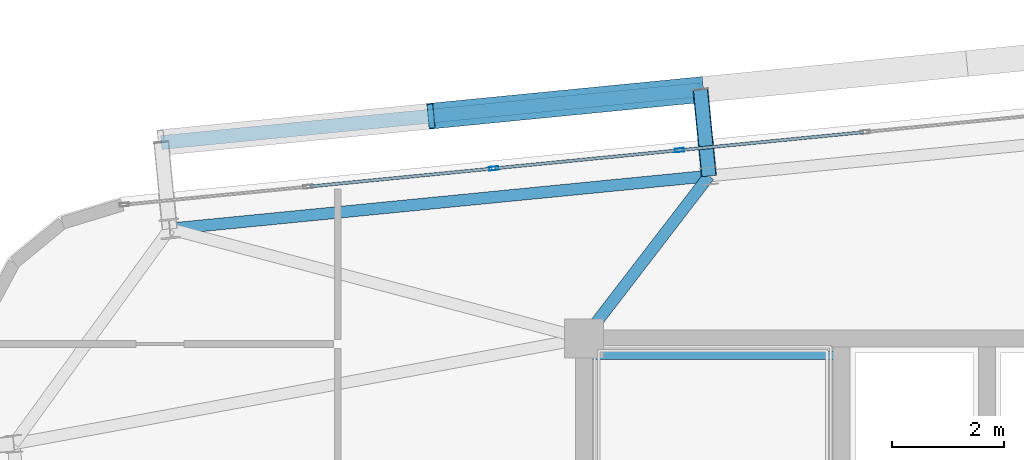
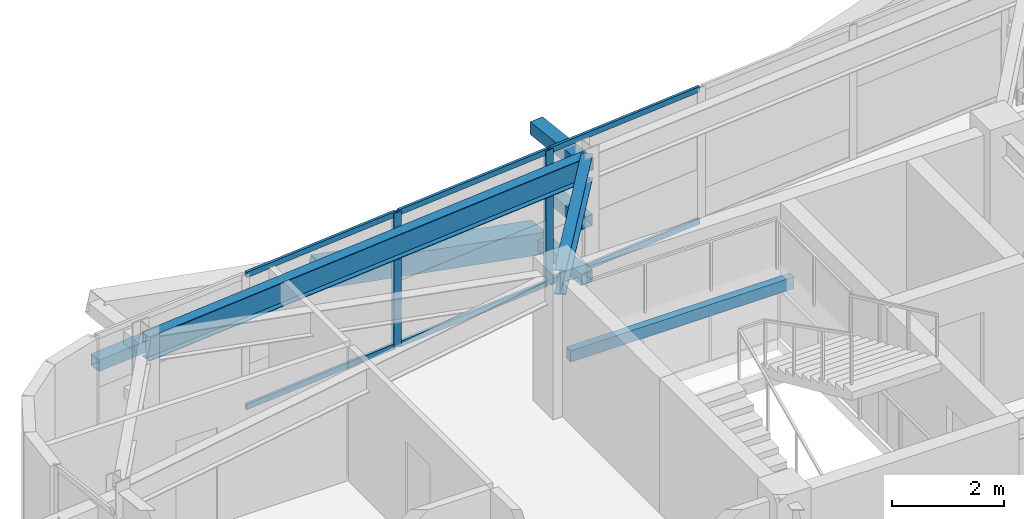
# One storey, part 28 of 53: 13 members, 3 beams, 1 element without a shape of its own.
"""IFC4 building model written with IfcOpenShell, lengths in metres."""

from ifc_helpers import new_model, si_unit, direction, frame, origin, origin_2d, place, context, subcontext, project, spatial, hollow_rectangle, i_section, extrude, source, transform, mapped, material, layer, layer_set, material_profile, profile_set, type_object, element, aggregate, save


model = new_model("IFC4")

# Units and contexts
model_context = context("Model", 3, precision=1e-05, world=origin(), true_north=direction((0.0, 1.0)))
body_context = subcontext(model_context, "Body", "Model", "MODEL_VIEW")
ifc_project = project(units=[si_unit("LENGTHUNIT", "METRE"), si_unit("AREAUNIT", "SQUARE_METRE"), si_unit("VOLUMEUNIT", "CUBIC_METRE"), si_unit("PLANEANGLEUNIT", "RADIAN"), si_unit("MASSUNIT", "GRAM", prefix="KILO")], contexts=[model_context])

# Site, building, storey
site_placement = place(None, origin())
site = spatial("IfcSite", under=ifc_project, at=site_placement, CompositionType="ELEMENT")
building_placement = place(site_placement, origin())
building = spatial("IfcBuilding", under=site, at=building_placement, Name="Taldren Reach Tower", CompositionType="ELEMENT")
storey_placement = place(building_placement, frame((0.0, 0.0, 71.39990234375)))
storey = spatial("IfcBuildingStorey", under=building, at=storey_placement, Name="L21", CompositionType="ELEMENT", Elevation=71.39990234375)

# Beams
ifc_material_1 = material(Name="Steel Gr 350 (350PLUS)", Category="steel")
ifc_material_profile_1 = material_profile(ifc_material_1, i_section(OverallWidth=0.208984375, OverallDepth=0.528076171875, WebThickness=0.009521484375, FlangeThickness=0.01318359375, at=origin_2d()), Name="530UB82.0")
ifc_profile_set_1 = profile_set([ifc_material_profile_1], Name="Steel Gr 350 (350PLUS)")
beam_type_1 = type_object("IfcBeamType", Name="SP-UB530B", PredefinedType="SPANDREL", material=ifc_profile_set_1)
shared_shape_1 = source(origin(), body_context, "Body", "SweptSolid", [
    extrude(i_section(OverallWidth=0.208984375, OverallDepth=0.528076171875, WebThickness=0.009521484375, FlangeThickness=0.01318359375, at=origin_2d()), origin(), (0.0, 0.0, 1.0), 9.679931640625),
])
beam_1_placement = place(storey_placement, frame((21.230712890625, 34.9013671875, 2.666015625), z_axis=(-0.995227612658, -0.097580730699, 0.0), x_axis=(0.097580730699, -0.995227612658, 0.0)))
element("IfcBeam", 1, at=beam_1_placement, inside=storey, type_object=beam_type_1, Name="Perimeter spandrel B2 N2-N1 L21", PredefinedType="SPANDREL", context=body_context, shape_type="MappedRepresentation", body=[
    mapped(shared_shape_1, transform((0.0, 0.0, 0.0), scale=1.0)),
])
ifc_material_profile_2 = material_profile(ifc_material_1, i_section(OverallWidth=0.208984375, OverallDepth=0.532958984375, WebThickness=0.01025390625, FlangeThickness=0.015625, at=origin_2d()), Name="530UB92.4")
ifc_profile_set_2 = profile_set([ifc_material_profile_2], Name="Steel Gr 350 (350PLUS)")
beam_type_2 = type_object("IfcBeamType", Name="BM-UB530A", PredefinedType="BEAM", material=ifc_profile_set_2)
shared_shape_2 = source(origin(), body_context, "Body", "SweptSolid", [
    extrude(i_section(OverallWidth=0.208984375, OverallDepth=0.532958984375, WebThickness=0.01025390625, FlangeThickness=0.015625, at=origin_2d()), origin(), (0.0, 0.0, 1.0), 3.65966796875),
])
beam_2_placement = place(storey_placement, frame((19.0, 32.0, 2.66357421875), z_axis=(0.609520535722, 0.792770279799, 0.0), x_axis=(-0.792770279799, 0.609520535722, 0.0)))
element("IfcBeam", 2, at=beam_2_placement, inside=storey, type_object=beam_type_2, Name="Primary floor girder B2-N2 L21", PredefinedType="BEAM", context=body_context, shape_type="MappedRepresentation", body=[
    mapped(shared_shape_2, transform((0.0, 0.0, 0.0), scale=1.0)),
])

# Members
ifc_material_2 = material(Name="Steel Gr 450 (C450L0)", Category="steel")
ifc_material_profile_3 = material_profile(ifc_material_2, hollow_rectangle(XDim=0.27490234375, YDim=0.27490234375, WallThickness=0.00927734375, at=origin_2d()), Name="275x275x9.3SHS")
ifc_profile_set_3 = profile_set([ifc_material_profile_3], Name="Steel Gr 450 (C450L0)")
member_type_1 = type_object("IfcMemberType", Name="MB-TIE273", PredefinedType="STRUT", material=ifc_profile_set_3)
shared_shape_3 = source(origin(), body_context, "Body", "SweptSolid", [
    extrude(hollow_rectangle(XDim=0.27490234375, YDim=0.27490234375, WallThickness=0.00927734375, at=origin_2d()), origin(), (0.0, 0.0, 1.0), 1.550048828125),
])
member_1_placement = place(storey_placement, frame((21.230712890625, 34.9013671875, 2.650146484375), z_axis=(-0.097647892962, 0.9952210252, 0.0), x_axis=(-0.9952210252, -0.097647892962, 0.0)))
element("IfcMember", 3, at=member_1_placement, inside=storey, type_object=member_type_1, Name="Exoskeleton diaphragm tie strut B2-N2 L21", PredefinedType="STRUT", context=body_context, shape_type="MappedRepresentation", body=[
    mapped(shared_shape_3, transform((0.0, 0.0, 0.0), scale=1.0)),
])
ifc_material_profile_4 = material_profile(ifc_material_2, hollow_rectangle(XDim=0.4599609375, YDim=0.4599609375, WallThickness=0.01611328125, at=origin_2d()), Name="460x460x16.0SHS")
ifc_profile_set_4 = profile_set([ifc_material_profile_4], Name="Steel Gr 450 (C450L0)")
member_type_2 = type_object("IfcMemberType", Name="MB-EXO457", PredefinedType="BRACE", material=ifc_profile_set_4)
shared_shape_4 = source(origin(), body_context, "Body", "SweptSolid", [
    extrude(hollow_rectangle(XDim=0.4599609375, YDim=0.4599609375, WallThickness=0.01611328125, at=origin_2d()), origin(), (0.0, 0.0, 1.0), 4.990234375),
])
member_2_placement = place(storey_placement, frame((21.079345703125, 36.444091796875, 0.22021484375), z_axis=(-0.965282554799, -0.094669120301, 0.243448859234), x_axis=(0.097605711627, -0.995225162995, 0.0)))
element("IfcMember", 4, at=member_2_placement, inside=storey, type_object=member_type_2, Name="Exoskeleton Diagrid Brace B2-N1 L21", PredefinedType="BRACE", context=body_context, shape_type="MappedRepresentation", body=[
    mapped(shared_shape_4, transform((0.0, 0.0, 0.0), scale=1.0)),
])
ifc_material_3 = material(Name="Steel Gr 350 (C350L0)", Category="steel")
ifc_material_profile_5 = material_profile(ifc_material_3, hollow_rectangle(XDim=0.25, YDim=0.25, WallThickness=0.010009765625, at=origin_2d()), Name="250x250x10.0SHS")
ifc_profile_set_5 = profile_set([ifc_material_profile_5], Name="Steel Gr 350 (C350L0)")
member_type_3 = type_object("IfcMemberType", Name="MB-POST250", PredefinedType="POST", material=ifc_profile_set_5)
shared_shape_5 = source(origin(), body_context, "Body", "SweptSolid", [
    extrude(hollow_rectangle(XDim=0.25, YDim=0.25, WallThickness=0.010009765625, at=origin_2d()), origin(), (0.0, 0.0, 1.0), 9.679931640625),
])
member_3_placement = place(storey_placement, frame((11.445556640625, 35.49951171875, 1.43505859375), z_axis=(0.995227612658, 0.097580730699, 0.0), x_axis=(-0.097580730699, 0.995227612658, 0.0)))
element("IfcMember", 5, at=member_3_placement, inside=storey, type_object=member_type_3, Name="Exoskeleton mid-height ring chord B2-N1 L21", PredefinedType="POST", context=body_context, shape_type="MappedRepresentation", body=[
    mapped(shared_shape_5, transform((0.0, 0.0, 0.0), scale=1.0)),
])
shared_shape_6 = source(origin(), body_context, "Body", "SweptSolid", [
    extrude(hollow_rectangle(XDim=0.25, YDim=0.25, WallThickness=0.010009765625, at=origin_2d()), origin(), (0.0, 0.0, 1.0), 1.550048828125),
])
for number, where, z_axis, x_axis, name in (
    (6, (21.230712890625, 34.9013671875, 0.22021484375), (-0.097647892962, 0.9952210252, 0.0), (-0.9952210252, -0.097647892962, 0.0), "Exoskeleton base diaphragm tie strut B2-N2 L21"),
    (7, (21.230712890625, 34.9013671875, 1.43505859375), (-0.097647892962, 0.9952210252, 0.0), (-0.9952210252, -0.097647892962, 0.0), "Exoskeleton mid-tier diaphragm tie B2-N2 L21"),
):
    element("IfcMember", number, at=place(storey_placement, frame(where, z_axis=z_axis, x_axis=x_axis)), inside=storey, type_object=member_type_3, Name=name, PredefinedType="POST", context=body_context, shape_type="MappedRepresentation", body=[
        mapped(shared_shape_6, transform((0.0, 0.0, 0.0), scale=1.0)),
    ])

# Curtain wall, members
ifc_material_4 = material(Name="Aluminium and Low-E Glass Unitised System", Category="aluminium")
ifc_layer = layer(ifc_material_4, 0.159912109375)
ifc_layer_set = layer_set([ifc_layer], Name="Aluminium and Low-E Glass Unitised System")
curtain_wall_type = type_object("IfcCurtainWallType", Name="CW-SYS-3", PredefinedType="NOTDEFINED", material=ifc_layer_set)
curtain_wall_placement = place(storey_placement, origin())
curtain_wall = element("IfcCurtainWall", 8, at=curtain_wall_placement, inside=storey, type_object=curtain_wall_type, Name="Unitised curtain wall CW-L21-N", PredefinedType="NOTDEFINED")
ifc_material_5 = material(Name="Anodised Aluminium 6063-T6", Category="aluminium")
ifc_material_profile_6 = material_profile(ifc_material_5, hollow_rectangle(XDim=0.06494140625, YDim=0.1650390625, WallThickness=0.00390625, at=origin_2d()), Name="ALU-165x65x4RHS")
ifc_profile_set_6 = profile_set([ifc_material_profile_6], Name="Anodised Aluminium 6063-T6")
member_type_4 = type_object("IfcMemberType", Name="CW-MUL-165", PredefinedType="MULLION", material=ifc_profile_set_6)
shared_shape_7 = source(origin(), body_context, "Body", "SweptSolid", [
    extrude(hollow_rectangle(XDim=0.06494140625, YDim=0.1650390625, WallThickness=0.00390625, at=origin_2d()), origin(), (0.0, 0.0, 1.0), 2.93017578125),
])
member_4_placement = place(storey_placement, frame((20.703125, 35.3623046875, 0.0), z_axis=(0.0, 0.0, 1.0), x_axis=(0.097582999046, -0.995227390247, 0.0)))
member_4 = element("IfcMember", 9, at=member_4_placement, type_object=member_type_4, Name="CW-3 mullion 13", PredefinedType="MULLION", context=body_context, shape_type="MappedRepresentation", body=[
    mapped(shared_shape_7, transform((0.0, 0.0, 0.0), scale=1.0)),
])
member_5_placement = place(storey_placement, frame((17.3857421875, 35.036865234375, 0.0), z_axis=(0.0, 0.0, 1.0), x_axis=(0.097582999046, -0.995227390247, 0.0)))
member_5 = element("IfcMember", 10, at=member_5_placement, type_object=member_type_4, Name="CW-3 mullion 14", PredefinedType="MULLION", context=body_context, shape_type="MappedRepresentation", body=[
    mapped(shared_shape_7, transform((0.0, 0.0, 0.0), scale=1.0)),
])
ifc_material_profile_7 = material_profile(ifc_material_5, hollow_rectangle(XDim=0.054931640625, YDim=0.1201171875, WallThickness=0.0029296875, at=origin_2d()), Name="ALU-120x55x3RHS")
ifc_profile_set_7 = profile_set([ifc_material_profile_7], Name="Anodised Aluminium 6063-T6")
member_type_5 = type_object("IfcMemberType", Name="CW-TRN-135", PredefinedType="USERDEFINED", material=ifc_profile_set_7)
shared_shape_8 = source(origin(), body_context, "Body", "SweptSolid", [
    extrude(hollow_rectangle(XDim=0.054931640625, YDim=0.1201171875, WallThickness=0.0029296875, at=origin_2d()), origin(), (0.0, 0.0, 1.0), 3.268310546875),
])
member_6_placement = place(storey_placement, frame((23.98828125, 35.684326171875, 0.027587890625), z_axis=(-0.99522980512, -0.097558367146, 0.0), x_axis=(0.097558367146, -0.99522980512, 0.0)))
member_6 = element("IfcMember", 11, at=member_6_placement, type_object=member_type_5, Name="CW-3 transom 12.1", ObjectType="TRANSOM", PredefinedType="USERDEFINED", context=body_context, shape_type="MappedRepresentation", body=[
    mapped(shared_shape_8, transform((0.0, 0.0, 0.0), scale=1.0)),
])
member_7_placement = place(storey_placement, frame((23.98828125, 35.684326171875, 2.902587890625), z_axis=(-0.99522980512, -0.097558367146, 0.0), x_axis=(0.097558367146, -0.99522980512, 0.0)))
member_7 = element("IfcMember", 12, at=member_7_placement, type_object=member_type_5, Name="CW-3 transom 12.2", ObjectType="TRANSOM", PredefinedType="USERDEFINED", context=body_context, shape_type="MappedRepresentation", body=[
    mapped(shared_shape_8, transform((0.0, 0.0, 0.0), scale=1.0)),
])
member_8_placement = place(storey_placement, frame((17.353271484375, 35.03369140625, 0.027587890625), z_axis=(-0.99522980512, -0.097558367146, 0.0), x_axis=(0.097558367146, -0.99522980512, 0.0)))
member_8 = element("IfcMember", 13, at=member_8_placement, type_object=member_type_5, Name="CW-3 transom 14.1", ObjectType="TRANSOM", PredefinedType="USERDEFINED", context=body_context, shape_type="MappedRepresentation", body=[
    mapped(shared_shape_8, transform((0.0, 0.0, 0.0), scale=1.0)),
])
member_9_placement = place(storey_placement, frame((17.353271484375, 35.03369140625, 2.902587890625), z_axis=(-0.99522980512, -0.097558367146, 0.0), x_axis=(0.097558367146, -0.99522980512, 0.0)))
member_9 = element("IfcMember", 14, at=member_9_placement, type_object=member_type_5, Name="CW-3 transom 14.2", ObjectType="TRANSOM", PredefinedType="USERDEFINED", context=body_context, shape_type="MappedRepresentation", body=[
    mapped(shared_shape_8, transform((0.0, 0.0, 0.0), scale=1.0)),
])
shared_shape_9 = source(origin(), body_context, "Body", "SweptSolid", [
    extrude(hollow_rectangle(XDim=0.054931640625, YDim=0.1201171875, WallThickness=0.0029296875, at=origin_2d()), origin(), (0.0, 0.0, 1.0), 3.2685546875),
])
member_10_placement = place(storey_placement, frame((20.6708984375, 35.359130859375, 0.027587890625), z_axis=(-0.995223261527, -0.09762509778, 0.0), x_axis=(0.09762509778, -0.995223261527, 0.0)))
member_10 = element("IfcMember", 15, at=member_10_placement, type_object=member_type_5, Name="CW-3 transom 13.1", ObjectType="TRANSOM", PredefinedType="USERDEFINED", context=body_context, shape_type="MappedRepresentation", body=[
    mapped(shared_shape_9, transform((0.0, 0.0, 0.0), scale=1.0)),
])
member_11_placement = place(storey_placement, frame((20.6708984375, 35.359130859375, 2.902587890625), z_axis=(-0.995223261527, -0.09762509778, 0.0), x_axis=(0.09762509778, -0.995223261527, 0.0)))
member_11 = element("IfcMember", 16, at=member_11_placement, type_object=member_type_5, Name="CW-3 transom 13.2", ObjectType="TRANSOM", PredefinedType="USERDEFINED", context=body_context, shape_type="MappedRepresentation", body=[
    mapped(shared_shape_9, transform((0.0, 0.0, 0.0), scale=1.0)),
])
aggregate(curtain_wall, [member_4, member_5, member_6, member_7, member_10, member_11, member_8, member_9])

# Beam
ifc_material_profile_8 = material_profile(ifc_material_3, hollow_rectangle(XDim=0.14990234375, YDim=0.25, WallThickness=0.009033203125, at=origin_2d()), Name="250x150x9.0RHS")
ifc_profile_set_8 = profile_set([ifc_material_profile_8], Name="Steel Gr 350 (C350L0)")
beam_type_3 = type_object("IfcBeamType", Name="LN-RHS250", PredefinedType="LINTEL", material=ifc_profile_set_8)
shared_shape_10 = source(origin(), body_context, "Body", "SweptSolid", [
    extrude(hollow_rectangle(XDim=0.14990234375, YDim=0.25, WallThickness=0.009033203125, at=origin_2d()), origin(), (0.0, 0.0, 1.0), 4.60009765625),
])
beam_3_placement = place(storey_placement, frame((19.0, 31.699951171875, 1.27001953125), z_axis=(1.0, 0.0, 0.0), x_axis=(0.0, 1.0, 0.0)))
element("IfcBeam", 17, at=beam_3_placement, inside=storey, type_object=beam_type_3, Name="Stair half-landing support beam ST1-L21-2", PredefinedType="LINTEL", context=body_context, shape_type="MappedRepresentation", body=[
    mapped(shared_shape_10, transform((0.0, 0.0, 0.0), scale=1.0)),
])

save(model, "model.ifc")
